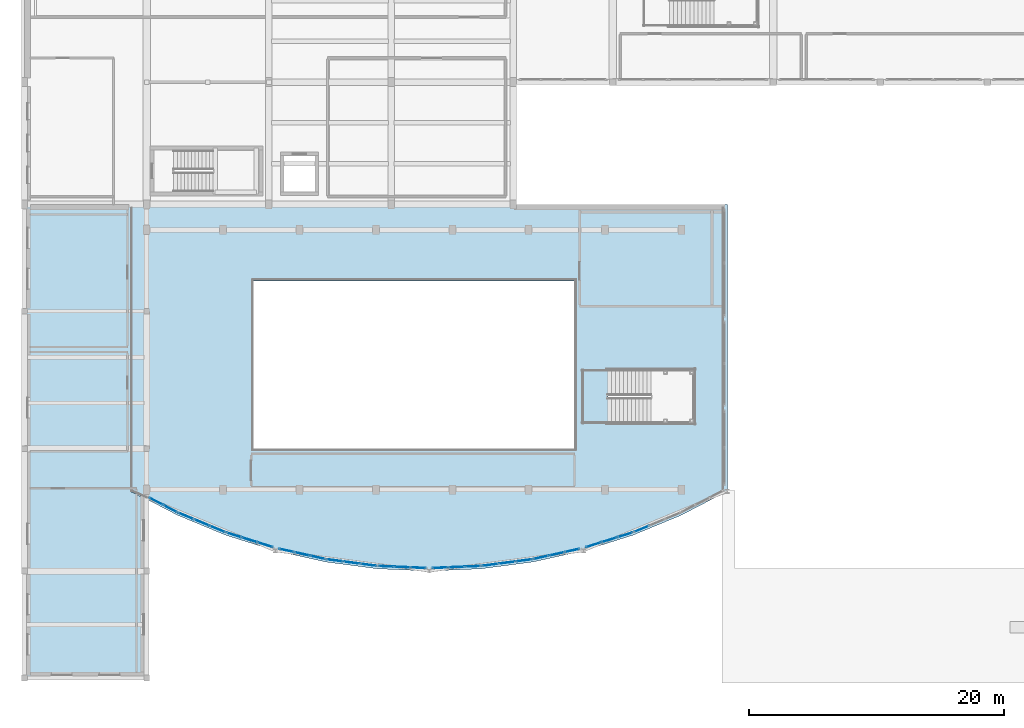
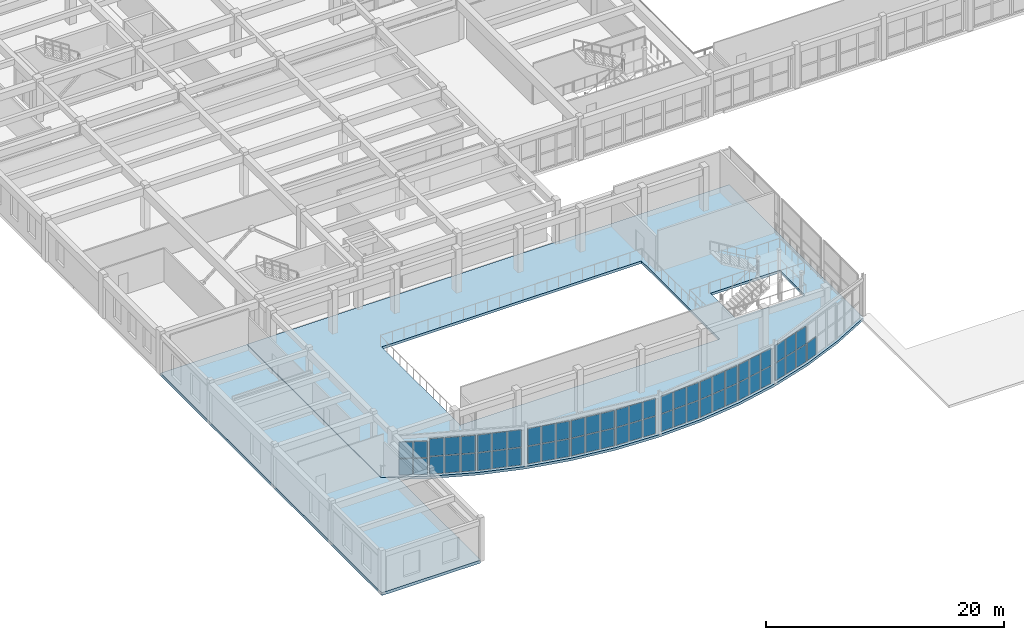
# One storey, part 53 of 92: 59 plates, 2 slabs, 11 elements without a shape of their own.
"""IFC4 building model written with IfcOpenShell, lengths in metres."""

from ifc_helpers import new_model, si_unit, direction, frame, origin, origin_2d, place, context, subcontext, project, spatial, polyline, rectangle, outline, extrude, material, layer, layer_set, type_object, element, aggregate, save


model = new_model("IFC4")

# Units and contexts
model_context = context("Model", 3, precision=1e-05, world=origin(), true_north=direction((0.0, 1.0)))
body_context = subcontext(model_context, "Body", "Model", "MODEL_VIEW")
ifc_project = project(units=[si_unit("LENGTHUNIT", "METRE"), si_unit("AREAUNIT", "SQUARE_METRE"), si_unit("VOLUMEUNIT", "CUBIC_METRE"), si_unit("PLANEANGLEUNIT", "RADIAN"), si_unit("MASSUNIT", "GRAM", prefix="KILO")], contexts=[model_context])

# Site, building, storey
site_placement = place(None, origin())
site = spatial("IfcSite", under=ifc_project, at=site_placement, CompositionType="ELEMENT")
building_placement = place(site_placement, origin())
building = spatial("IfcBuilding", under=site, at=building_placement, Name="Tarnavel Promenade Courthouse", CompositionType="ELEMENT")
storey_placement = place(building_placement, frame((0.0, 0.0, 5.39990234375)))
storey = spatial("IfcBuildingStorey", under=building, at=storey_placement, Name="L02", CompositionType="ELEMENT", Elevation=5.39990234375)

# Slabs
ifc_material_1 = material(Name="Concrete C40/50", Category="concrete")
ifc_layer_1 = layer(ifc_material_1, 0.260009765625)
ifc_layer_set_1 = layer_set([ifc_layer_1], Name="Concrete C40/50")
slab_type_1 = type_object("IfcSlabType", Name="Concrete C40/50 SLB-PT-260 (260 mm)", PredefinedType="FLOOR", material=ifc_layer_set_1)
slab_1_placement = place(storey_placement, frame((0.0, 0.0, -0.260009765625)))
element("IfcSlab", 1, at=slab_1_placement, inside=storey, type_object=slab_type_1, Name="L02 Curved Public Hall Drum Slab", PredefinedType="FLOOR", context=body_context, shape_type="SweptSolid", body=[
    extrude(outline(polyline([(8.39990234375, 14.669921875), (12.021484375, 12.784912109375), (15.79345703125, 11.222412109375), (19.687255859375, 9.99462890625), (23.67333984375, 9.111083984375), (27.72119140625, 8.578125), (31.800048828125, 8.39990234375), (35.87890625, 8.578125), (39.9267578125, 9.111083984375), (43.912841796875, 9.99462890625), (47.806640625, 11.222412109375), (51.57861328125, 12.784912109375), (55.199951171875, 14.669921875), (55.199951171875, 37.199951171875), (8.39990234375, 37.199951171875), (8.39990234375, 14.669921875)]), holes=[polyline([(45.844970703125, 20.0), (52.60009765625, 20.0), (52.60009765625, 24.199951171875), (45.844970703125, 24.199951171875), (45.844970703125, 20.0)]), polyline([(18.0, 18.0), (43.199951171875, 18.0), (43.199951171875, 31.199951171875), (18.0, 31.199951171875), (18.0, 18.0)])]), origin(), (0.0, 0.0, 1.0), 0.260009765625),
])
ifc_layer_2 = layer(ifc_material_1, 0.300048828125)
ifc_layer_set_2 = layer_set([ifc_layer_2], Name="Concrete C40/50")
slab_type_2 = type_object("IfcSlabType", Name="Concrete C40/50 SLB-STK-300 (300 mm)", PredefinedType="FLOOR", material=ifc_layer_set_2)
slab_2_placement = place(storey_placement, frame((0.0, 0.0, -0.2998046875)))
element("IfcSlab", 2, at=slab_2_placement, inside=storey, type_object=slab_type_2, Name="L02 Portal Pavilion Floor Slab", PredefinedType="FLOOR", context=body_context, shape_type="SweptSolid", body=[
    extrude(outline(polyline([(9.60009765625, 0.0), (0.0, 0.0), (0.0, 37.179931640625), (8.360107421875, 37.179931640625), (8.360107421875, 14.6201171875), (8.43115234375, 14.6201171875), (9.60009765625, 14.011474609375), (9.60009765625, 0.0)])), origin(), (0.0, 0.0, 1.0), 0.2998046875),
])

# Curtain wall, plates
ifc_material_2 = material(Name="Thermally Broken Anodised Aluminium Curtain Wall System", Category="aluminium")
ifc_layer_3 = layer(ifc_material_2, 0.219970703125)
ifc_layer_set_3 = layer_set([ifc_layer_3], Name="Thermally Broken Anodised Aluminium Curtain Wall System")
curtain_wall_type = type_object("IfcCurtainWallType", Name="Thermally Broken Aluminium Triple-Glazed Curtain Wall CW-DRUM", PredefinedType="NOTDEFINED", material=ifc_layer_set_3)
curtain_wall_1_placement = place(storey_placement, origin())
curtain_wall_1 = element("IfcCurtainWall", 3, at=curtain_wall_1_placement, inside=storey, type_object=curtain_wall_type, Name="L02 Public Hall Drum Curtain Wall 012", PredefinedType="NOTDEFINED")
ifc_material_3 = material(Name="Triple Low-E Argon Insulated Glazing", Category="glass")
ifc_layer_4 = layer(ifc_material_3, 0.048095703125)
ifc_layer_set_4 = layer_set([ifc_layer_4], Name="Triple Low-E Argon Insulated Glazing")
plate_type = type_object("IfcPlateType", Name="Triple Low-E Argon Insulated Glazing Unit CWP-48 (48 mm)", PredefinedType="CURTAIN_PANEL", material=ifc_layer_set_4)
plate_1_placement = place(storey_placement, frame((10.34375, 13.878173828125, 0.080078125), z_axis=(0.0, 0.0, 1.0), x_axis=(0.887010496423, -0.461749260135, 0.0)))
plate_1 = element("IfcPlate", 4, at=plate_1_placement, type_object=plate_type, Name="CW-01 panel 1.1", PredefinedType="CURTAIN_PANEL", context=body_context, shape_type="SweptSolid", body=[
    extrude(rectangle(XDim=1.140869140625, YDim=0.048095703125, at=origin_2d()), origin(), (0.0, 0.0, 1.0), 1.64501953125),
])
plate_2_placement = place(storey_placement, frame((10.34375, 13.878173828125, 1.80517578125), z_axis=(0.0, 0.0, 1.0), x_axis=(0.887010496423, -0.461749260135, 0.0)))
plate_2 = element("IfcPlate", 5, at=plate_2_placement, type_object=plate_type, Name="CW-01 panel 1.2", PredefinedType="CURTAIN_PANEL", context=body_context, shape_type="SweptSolid", body=[
    extrude(rectangle(XDim=1.140869140625, YDim=0.048095703125, at=origin_2d()), origin(), (0.0, 0.0, 1.0), 1.64501953125),
])
plate_3_placement = place(storey_placement, frame((11.435546875, 13.309814453125, 0.080078125), z_axis=(0.0, 0.0, 1.0), x_axis=(0.887010496423, -0.461749260135, 0.0)))
plate_3 = element("IfcPlate", 6, at=plate_3_placement, type_object=plate_type, Name="CW-01 panel 2.1", PredefinedType="CURTAIN_PANEL", context=body_context, shape_type="SweptSolid", body=[
    extrude(rectangle(XDim=1.140869140625, YDim=0.048095703125, at=origin_2d()), origin(), (0.0, 0.0, 1.0), 1.64501953125),
])
plate_4_placement = place(storey_placement, frame((11.435546875, 13.309814453125, 1.80517578125), z_axis=(0.0, 0.0, 1.0), x_axis=(0.887010496423, -0.461749260135, 0.0)))
plate_4 = element("IfcPlate", 7, at=plate_4_placement, type_object=plate_type, Name="CW-01 panel 2.2", PredefinedType="CURTAIN_PANEL", context=body_context, shape_type="SweptSolid", body=[
    extrude(rectangle(XDim=1.140869140625, YDim=0.048095703125, at=origin_2d()), origin(), (0.0, 0.0, 1.0), 1.64501953125),
])
aggregate(curtain_wall_1, [plate_1, plate_2, plate_3, plate_4])

curtain_wall_2_placement = place(storey_placement, origin())
curtain_wall_2 = element("IfcCurtainWall", 8, at=curtain_wall_2_placement, inside=storey, type_object=curtain_wall_type, Name="L02 Public Hall Drum Curtain Wall 013", PredefinedType="NOTDEFINED")
plate_5_placement = place(storey_placement, frame((12.6708984375, 12.73583984375, 0.080078125), z_axis=(0.0, 0.0, 1.0), x_axis=(0.923878974593, -0.382684779296, 0.0)))
plate_5 = element("IfcPlate", 9, at=plate_5_placement, type_object=plate_type, Name="CW-01 panel 1.1", PredefinedType="CURTAIN_PANEL", context=body_context, shape_type="SweptSolid", body=[
    extrude(rectangle(XDim=1.225830078125, YDim=0.048095703125, at=origin_2d()), origin(), (0.0, 0.0, 1.0), 1.77001953125),
])
plate_6_placement = place(storey_placement, frame((12.6708984375, 12.73583984375, 1.93017578125), z_axis=(0.0, 0.0, 1.0), x_axis=(0.923878974593, -0.382684779296, 0.0)))
plate_6 = element("IfcPlate", 10, at=plate_6_placement, type_object=plate_type, Name="CW-01 panel 1.2", PredefinedType="CURTAIN_PANEL", context=body_context, shape_type="SweptSolid", body=[
    extrude(rectangle(XDim=1.225830078125, YDim=0.048095703125, at=origin_2d()), origin(), (0.0, 0.0, 1.0), 1.77001953125),
])
plate_7_placement = place(storey_placement, frame((13.907470703125, 12.2236328125, 0.080078125), z_axis=(0.0, 0.0, 1.0), x_axis=(0.923878974593, -0.382684779296, 0.0)))
plate_7 = element("IfcPlate", 11, at=plate_7_placement, type_object=plate_type, Name="CW-01 panel 2.1", PredefinedType="CURTAIN_PANEL", context=body_context, shape_type="SweptSolid", body=[
    extrude(rectangle(XDim=1.27099609375, YDim=0.048095703125, at=origin_2d()), origin(), (0.0, 0.0, 1.0), 1.77001953125),
])
plate_8_placement = place(storey_placement, frame((13.907470703125, 12.2236328125, 1.93017578125), z_axis=(0.0, 0.0, 1.0), x_axis=(0.923878974593, -0.382684779296, 0.0)))
plate_8 = element("IfcPlate", 12, at=plate_8_placement, type_object=plate_type, Name="CW-01 panel 2.2", PredefinedType="CURTAIN_PANEL", context=body_context, shape_type="SweptSolid", body=[
    extrude(rectangle(XDim=1.27099609375, YDim=0.048095703125, at=origin_2d()), origin(), (0.0, 0.0, 1.0), 1.77001953125),
])
plate_9_placement = place(storey_placement, frame((15.14404296875, 11.71142578125, 0.080078125), z_axis=(0.0, 0.0, 1.0), x_axis=(0.923878974593, -0.382684779296, 0.0)))
plate_9 = element("IfcPlate", 13, at=plate_9_placement, type_object=plate_type, Name="CW-01 panel 3.1", PredefinedType="CURTAIN_PANEL", context=body_context, shape_type="SweptSolid", body=[
    extrude(rectangle(XDim=1.225830078125, YDim=0.048095703125, at=origin_2d()), origin(), (0.0, 0.0, 1.0), 1.77001953125),
])
plate_10_placement = place(storey_placement, frame((15.14404296875, 11.71142578125, 1.93017578125), z_axis=(0.0, 0.0, 1.0), x_axis=(0.923878974593, -0.382684779296, 0.0)))
plate_10 = element("IfcPlate", 14, at=plate_10_placement, type_object=plate_type, Name="CW-01 panel 3.2", PredefinedType="CURTAIN_PANEL", context=body_context, shape_type="SweptSolid", body=[
    extrude(rectangle(XDim=1.225830078125, YDim=0.048095703125, at=origin_2d()), origin(), (0.0, 0.0, 1.0), 1.77001953125),
])
aggregate(curtain_wall_2, [plate_5, plate_6, plate_7, plate_8, plate_9, plate_10])

curtain_wall_3_placement = place(storey_placement, origin())
curtain_wall_3 = element("IfcCurtainWall", 15, at=curtain_wall_3_placement, inside=storey, type_object=curtain_wall_type, Name="L02 Public Hall Drum Curtain Wall 014", PredefinedType="NOTDEFINED")
plate_11_placement = place(storey_placement, frame((16.442626953125, 11.23779296875, 0.080078125), z_axis=(0.0, 0.0, 1.0), x_axis=(0.953717095465, -0.300705340521, 0.0)))
plate_11 = element("IfcPlate", 16, at=plate_11_placement, type_object=plate_type, Name="CW-01 panel 1.1", PredefinedType="CURTAIN_PANEL", context=body_context, shape_type="SweptSolid", body=[
    extrude(rectangle(XDim=1.181396484375, YDim=0.048095703125, at=origin_2d()), origin(), (0.0, 0.0, 1.0), 1.77001953125),
])
plate_12_placement = place(storey_placement, frame((16.442626953125, 11.23779296875, 1.93017578125), z_axis=(0.0, 0.0, 1.0), x_axis=(0.953717095465, -0.300705340521, 0.0)))
plate_12 = element("IfcPlate", 17, at=plate_12_placement, type_object=plate_type, Name="CW-01 panel 1.2", PredefinedType="CURTAIN_PANEL", context=body_context, shape_type="SweptSolid", body=[
    extrude(rectangle(XDim=1.181396484375, YDim=0.048095703125, at=origin_2d()), origin(), (0.0, 0.0, 1.0), 1.77001953125),
])
plate_13_placement = place(storey_placement, frame((17.676513671875, 10.8486328125, 0.080078125), z_axis=(0.0, 0.0, 1.0), x_axis=(0.953717095465, -0.300705340521, 0.0)))
plate_13 = element("IfcPlate", 18, at=plate_13_placement, type_object=plate_type, Name="CW-01 panel 2.1", PredefinedType="CURTAIN_PANEL", context=body_context, shape_type="SweptSolid", body=[
    extrude(rectangle(XDim=1.226318359375, YDim=0.048095703125, at=origin_2d()), origin(), (0.0, 0.0, 1.0), 1.77001953125),
])
plate_14_placement = place(storey_placement, frame((17.676513671875, 10.8486328125, 1.93017578125), z_axis=(0.0, 0.0, 1.0), x_axis=(0.953717095465, -0.300705340521, 0.0)))
plate_14 = element("IfcPlate", 19, at=plate_14_placement, type_object=plate_type, Name="CW-01 panel 2.2", PredefinedType="CURTAIN_PANEL", context=body_context, shape_type="SweptSolid", body=[
    extrude(rectangle(XDim=1.226318359375, YDim=0.048095703125, at=origin_2d()), origin(), (0.0, 0.0, 1.0), 1.77001953125),
])
plate_15_placement = place(storey_placement, frame((18.910400390625, 10.45947265625, 0.080078125), z_axis=(0.0, 0.0, 1.0), x_axis=(0.953717095465, -0.300705340521, 0.0)))
plate_15 = element("IfcPlate", 20, at=plate_15_placement, type_object=plate_type, Name="CW-01 panel 3.1", PredefinedType="CURTAIN_PANEL", context=body_context, shape_type="SweptSolid", body=[
    extrude(rectangle(XDim=1.181396484375, YDim=0.048095703125, at=origin_2d()), origin(), (0.0, 0.0, 1.0), 1.77001953125),
])
plate_16_placement = place(storey_placement, frame((18.910400390625, 10.45947265625, 1.93017578125), z_axis=(0.0, 0.0, 1.0), x_axis=(0.953717095465, -0.300705340521, 0.0)))
plate_16 = element("IfcPlate", 21, at=plate_16_placement, type_object=plate_type, Name="CW-01 panel 3.2", PredefinedType="CURTAIN_PANEL", context=body_context, shape_type="SweptSolid", body=[
    extrude(rectangle(XDim=1.181396484375, YDim=0.048095703125, at=origin_2d()), origin(), (0.0, 0.0, 1.0), 1.77001953125),
])
aggregate(curtain_wall_3, [plate_11, plate_12, plate_13, plate_14, plate_15, plate_16])

curtain_wall_4_placement = place(storey_placement, origin())
curtain_wall_4 = element("IfcCurtainWall", 22, at=curtain_wall_4_placement, inside=storey, type_object=curtain_wall_type, Name="L02 Public Hall Drum Curtain Wall 015", PredefinedType="NOTDEFINED")
plate_17_placement = place(storey_placement, frame((20.574951171875, 10.017822265625, 0.080078125), z_axis=(0.0, 0.0, 1.0), x_axis=(0.976296327058, -0.216438170788, 0.0)))
plate_17 = element("IfcPlate", 23, at=plate_17_placement, type_object=plate_type, Name="CW-01 panel 1.1", PredefinedType="CURTAIN_PANEL", context=body_context, shape_type="SweptSolid", body=[
    extrude(rectangle(XDim=1.143310546875, YDim=0.048095703125, at=origin_2d()), origin(), (0.0, 0.0, 1.0), 1.77001953125),
])
plate_18_placement = place(storey_placement, frame((20.574951171875, 10.017822265625, 1.93017578125), z_axis=(0.0, 0.0, 1.0), x_axis=(0.976296327058, -0.216438170788, 0.0)))
plate_18 = element("IfcPlate", 24, at=plate_18_placement, type_object=plate_type, Name="CW-01 panel 1.2", PredefinedType="CURTAIN_PANEL", context=body_context, shape_type="SweptSolid", body=[
    extrude(rectangle(XDim=1.143310546875, YDim=0.048095703125, at=origin_2d()), origin(), (0.0, 0.0, 1.0), 1.77001953125),
])
plate_19_placement = place(storey_placement, frame((21.80126953125, 9.74609375, 0.080078125), z_axis=(0.0, 0.0, 1.0), x_axis=(0.976296327058, -0.216438170788, 0.0)))
plate_19 = element("IfcPlate", 25, at=plate_19_placement, type_object=plate_type, Name="CW-01 panel 2.1", PredefinedType="CURTAIN_PANEL", context=body_context, shape_type="SweptSolid", body=[
    extrude(rectangle(XDim=1.1884765625, YDim=0.048095703125, at=origin_2d()), origin(), (0.0, 0.0, 1.0), 1.77001953125),
])
plate_20_placement = place(storey_placement, frame((21.80126953125, 9.74609375, 1.93017578125), z_axis=(0.0, 0.0, 1.0), x_axis=(0.976296327058, -0.216438170788, 0.0)))
plate_20 = element("IfcPlate", 26, at=plate_20_placement, type_object=plate_type, Name="CW-01 panel 2.2", PredefinedType="CURTAIN_PANEL", context=body_context, shape_type="SweptSolid", body=[
    extrude(rectangle(XDim=1.1884765625, YDim=0.048095703125, at=origin_2d()), origin(), (0.0, 0.0, 1.0), 1.77001953125),
])
plate_21_placement = place(storey_placement, frame((23.02734375, 9.47412109375, 0.080078125), z_axis=(0.0, 0.0, 1.0), x_axis=(0.976296327058, -0.216438170788, 0.0)))
plate_21 = element("IfcPlate", 27, at=plate_21_placement, type_object=plate_type, Name="CW-01 panel 3.1", PredefinedType="CURTAIN_PANEL", context=body_context, shape_type="SweptSolid", body=[
    extrude(rectangle(XDim=1.143310546875, YDim=0.048095703125, at=origin_2d()), origin(), (0.0, 0.0, 1.0), 1.77001953125),
])
plate_22_placement = place(storey_placement, frame((23.02734375, 9.47412109375, 1.93017578125), z_axis=(0.0, 0.0, 1.0), x_axis=(0.976296327058, -0.216438170788, 0.0)))
plate_22 = element("IfcPlate", 28, at=plate_22_placement, type_object=plate_type, Name="CW-01 panel 3.2", PredefinedType="CURTAIN_PANEL", context=body_context, shape_type="SweptSolid", body=[
    extrude(rectangle(XDim=1.143310546875, YDim=0.048095703125, at=origin_2d()), origin(), (0.0, 0.0, 1.0), 1.77001953125),
])
aggregate(curtain_wall_4, [plate_17, plate_18, plate_19, plate_20, plate_21, plate_22])

curtain_wall_5_placement = place(storey_placement, origin())
curtain_wall_5 = element("IfcCurtainWall", 29, at=curtain_wall_5_placement, inside=storey, type_object=curtain_wall_type, Name="L02 Public Hall Drum Curtain Wall 016", PredefinedType="NOTDEFINED")
plate_23_placement = place(storey_placement, frame((24.3701171875, 9.2392578125, 0.080078125), z_axis=(0.0, 0.0, 1.0), x_axis=(0.991444805772, -0.130526614558, 0.0)))
plate_23 = element("IfcPlate", 30, at=plate_23_placement, type_object=plate_type, Name="CW-01 panel 1.1", PredefinedType="CURTAIN_PANEL", context=body_context, shape_type="SweptSolid", body=[
    extrude(rectangle(XDim=1.225830078125, YDim=0.048095703125, at=origin_2d()), origin(), (0.0, 0.0, 1.0), 1.77001953125),
])
plate_24_placement = place(storey_placement, frame((24.3701171875, 9.2392578125, 1.93017578125), z_axis=(0.0, 0.0, 1.0), x_axis=(0.991444805772, -0.130526614558, 0.0)))
plate_24 = element("IfcPlate", 31, at=plate_24_placement, type_object=plate_type, Name="CW-01 panel 1.2", PredefinedType="CURTAIN_PANEL", context=body_context, shape_type="SweptSolid", body=[
    extrude(rectangle(XDim=1.225830078125, YDim=0.048095703125, at=origin_2d()), origin(), (0.0, 0.0, 1.0), 1.77001953125),
])
plate_25_placement = place(storey_placement, frame((25.697265625, 9.064453125, 0.080078125), z_axis=(0.0, 0.0, 1.0), x_axis=(0.991444805772, -0.130526614558, 0.0)))
plate_25 = element("IfcPlate", 32, at=plate_25_placement, type_object=plate_type, Name="CW-01 panel 2.1", PredefinedType="CURTAIN_PANEL", context=body_context, shape_type="SweptSolid", body=[
    extrude(rectangle(XDim=1.27099609375, YDim=0.048095703125, at=origin_2d()), origin(), (0.0, 0.0, 1.0), 1.77001953125),
])
plate_26_placement = place(storey_placement, frame((25.697265625, 9.064453125, 1.93017578125), z_axis=(0.0, 0.0, 1.0), x_axis=(0.991444805772, -0.130526614558, 0.0)))
plate_26 = element("IfcPlate", 33, at=plate_26_placement, type_object=plate_type, Name="CW-01 panel 2.2", PredefinedType="CURTAIN_PANEL", context=body_context, shape_type="SweptSolid", body=[
    extrude(rectangle(XDim=1.27099609375, YDim=0.048095703125, at=origin_2d()), origin(), (0.0, 0.0, 1.0), 1.77001953125),
])
plate_27_placement = place(storey_placement, frame((27.024169921875, 8.889892578125, 0.080078125), z_axis=(0.0, 0.0, 1.0), x_axis=(0.991444805772, -0.130526614558, 0.0)))
plate_27 = element("IfcPlate", 34, at=plate_27_placement, type_object=plate_type, Name="CW-01 panel 3.1", PredefinedType="CURTAIN_PANEL", context=body_context, shape_type="SweptSolid", body=[
    extrude(rectangle(XDim=1.225830078125, YDim=0.048095703125, at=origin_2d()), origin(), (0.0, 0.0, 1.0), 1.77001953125),
])
plate_28_placement = place(storey_placement, frame((27.024169921875, 8.889892578125, 1.93017578125), z_axis=(0.0, 0.0, 1.0), x_axis=(0.991444805772, -0.130526614558, 0.0)))
plate_28 = element("IfcPlate", 35, at=plate_28_placement, type_object=plate_type, Name="CW-01 panel 3.2", PredefinedType="CURTAIN_PANEL", context=body_context, shape_type="SweptSolid", body=[
    extrude(rectangle(XDim=1.225830078125, YDim=0.048095703125, at=origin_2d()), origin(), (0.0, 0.0, 1.0), 1.77001953125),
])
aggregate(curtain_wall_5, [plate_23, plate_24, plate_25, plate_26, plate_27, plate_28])

curtain_wall_6_placement = place(storey_placement, origin())
curtain_wall_6 = element("IfcCurtainWall", 36, at=curtain_wall_6_placement, inside=storey, type_object=curtain_wall_type, Name="L02 Public Hall Drum Curtain Wall 017", PredefinedType="NOTDEFINED")
plate_29_placement = place(storey_placement, frame((28.3916015625, 8.768798828125, 0.080078125), z_axis=(0.0, 0.0, 1.0), x_axis=(0.999048255156, -0.04361861839, 0.0)))
plate_29 = element("IfcPlate", 37, at=plate_29_placement, type_object=plate_type, Name="CW-01 panel 1.1", PredefinedType="CURTAIN_PANEL", context=body_context, shape_type="SweptSolid", body=[
    extrude(rectangle(XDim=1.162353515625, YDim=0.048095703125, at=origin_2d()), origin(), (0.0, 0.0, 1.0), 1.77001953125),
])
plate_30_placement = place(storey_placement, frame((28.3916015625, 8.768798828125, 1.93017578125), z_axis=(0.0, 0.0, 1.0), x_axis=(0.999048255156, -0.04361861839, 0.0)))
plate_30 = element("IfcPlate", 38, at=plate_30_placement, type_object=plate_type, Name="CW-01 panel 1.2", PredefinedType="CURTAIN_PANEL", context=body_context, shape_type="SweptSolid", body=[
    extrude(rectangle(XDim=1.162353515625, YDim=0.048095703125, at=origin_2d()), origin(), (0.0, 0.0, 1.0), 1.77001953125),
])
plate_31_placement = place(storey_placement, frame((29.66552734375, 8.713134765625, 0.080078125), z_axis=(0.0, 0.0, 1.0), x_axis=(0.999048255156, -0.04361861839, 0.0)))
plate_31 = element("IfcPlate", 39, at=plate_31_placement, type_object=plate_type, Name="CW-01 panel 2.1", PredefinedType="CURTAIN_PANEL", context=body_context, shape_type="SweptSolid", body=[
    extrude(rectangle(XDim=1.20751953125, YDim=0.048095703125, at=origin_2d()), origin(), (0.0, 0.0, 1.0), 1.77001953125),
])
plate_32_placement = place(storey_placement, frame((29.66552734375, 8.713134765625, 1.93017578125), z_axis=(0.0, 0.0, 1.0), x_axis=(0.999048255156, -0.04361861839, 0.0)))
plate_32 = element("IfcPlate", 40, at=plate_32_placement, type_object=plate_type, Name="CW-01 panel 2.2", PredefinedType="CURTAIN_PANEL", context=body_context, shape_type="SweptSolid", body=[
    extrude(rectangle(XDim=1.20751953125, YDim=0.048095703125, at=origin_2d()), origin(), (0.0, 0.0, 1.0), 1.77001953125),
])
plate_33_placement = place(storey_placement, frame((30.939208984375, 8.657470703125, 0.080078125), z_axis=(0.0, 0.0, 1.0), x_axis=(0.999048255156, -0.04361861839, 0.0)))
plate_33 = element("IfcPlate", 41, at=plate_33_placement, type_object=plate_type, Name="CW-01 panel 3.1", PredefinedType="CURTAIN_PANEL", context=body_context, shape_type="SweptSolid", body=[
    extrude(rectangle(XDim=1.162353515625, YDim=0.048095703125, at=origin_2d()), origin(), (0.0, 0.0, 1.0), 1.77001953125),
])
plate_34_placement = place(storey_placement, frame((30.939208984375, 8.657470703125, 1.93017578125), z_axis=(0.0, 0.0, 1.0), x_axis=(0.999048255156, -0.04361861839, 0.0)))
plate_34 = element("IfcPlate", 42, at=plate_34_placement, type_object=plate_type, Name="CW-01 panel 3.2", PredefinedType="CURTAIN_PANEL", context=body_context, shape_type="SweptSolid", body=[
    extrude(rectangle(XDim=1.162353515625, YDim=0.048095703125, at=origin_2d()), origin(), (0.0, 0.0, 1.0), 1.77001953125),
])
aggregate(curtain_wall_6, [plate_29, plate_30, plate_31, plate_32, plate_33, plate_34])

curtain_wall_7_placement = place(storey_placement, origin())
curtain_wall_7 = element("IfcCurtainWall", 43, at=curtain_wall_7_placement, inside=storey, type_object=curtain_wall_type, Name="L02 Public Hall Drum Curtain Wall 018", PredefinedType="NOTDEFINED")
plate_35_placement = place(storey_placement, frame((32.660888671875, 8.657470703125, 0.080078125), z_axis=(0.0, 0.0, 1.0), x_axis=(0.999048255156, 0.04361861839, 0.0)))
plate_35 = element("IfcPlate", 44, at=plate_35_placement, type_object=plate_type, Name="CW-01 panel 1.1", PredefinedType="CURTAIN_PANEL", context=body_context, shape_type="SweptSolid", body=[
    extrude(rectangle(XDim=1.162353515625, YDim=0.048095703125, at=origin_2d()), origin(), (0.0, 0.0, 1.0), 1.77001953125),
])
plate_36_placement = place(storey_placement, frame((32.660888671875, 8.657470703125, 1.93017578125), z_axis=(0.0, 0.0, 1.0), x_axis=(0.999048255156, 0.04361861839, 0.0)))
plate_36 = element("IfcPlate", 45, at=plate_36_placement, type_object=plate_type, Name="CW-01 panel 1.2", PredefinedType="CURTAIN_PANEL", context=body_context, shape_type="SweptSolid", body=[
    extrude(rectangle(XDim=1.162353515625, YDim=0.048095703125, at=origin_2d()), origin(), (0.0, 0.0, 1.0), 1.77001953125),
])
plate_37_placement = place(storey_placement, frame((33.9345703125, 8.713134765625, 0.080078125), z_axis=(0.0, 0.0, 1.0), x_axis=(0.999048255156, 0.04361861839, 0.0)))
plate_37 = element("IfcPlate", 46, at=plate_37_placement, type_object=plate_type, Name="CW-01 panel 2.1", PredefinedType="CURTAIN_PANEL", context=body_context, shape_type="SweptSolid", body=[
    extrude(rectangle(XDim=1.20751953125, YDim=0.048095703125, at=origin_2d()), origin(), (0.0, 0.0, 1.0), 1.77001953125),
])
plate_38_placement = place(storey_placement, frame((33.9345703125, 8.713134765625, 1.93017578125), z_axis=(0.0, 0.0, 1.0), x_axis=(0.999048255156, 0.04361861839, 0.0)))
plate_38 = element("IfcPlate", 47, at=plate_38_placement, type_object=plate_type, Name="CW-01 panel 2.2", PredefinedType="CURTAIN_PANEL", context=body_context, shape_type="SweptSolid", body=[
    extrude(rectangle(XDim=1.20751953125, YDim=0.048095703125, at=origin_2d()), origin(), (0.0, 0.0, 1.0), 1.77001953125),
])
plate_39_placement = place(storey_placement, frame((35.208251953125, 8.768798828125, 0.080078125), z_axis=(0.0, 0.0, 1.0), x_axis=(0.999048255156, 0.04361861839, 0.0)))
plate_39 = element("IfcPlate", 48, at=plate_39_placement, type_object=plate_type, Name="CW-01 panel 3.1", PredefinedType="CURTAIN_PANEL", context=body_context, shape_type="SweptSolid", body=[
    extrude(rectangle(XDim=1.162353515625, YDim=0.048095703125, at=origin_2d()), origin(), (0.0, 0.0, 1.0), 1.77001953125),
])
plate_40_placement = place(storey_placement, frame((35.208251953125, 8.768798828125, 1.93017578125), z_axis=(0.0, 0.0, 1.0), x_axis=(0.999048255156, 0.04361861839, 0.0)))
plate_40 = element("IfcPlate", 49, at=plate_40_placement, type_object=plate_type, Name="CW-01 panel 3.2", PredefinedType="CURTAIN_PANEL", context=body_context, shape_type="SweptSolid", body=[
    extrude(rectangle(XDim=1.162353515625, YDim=0.048095703125, at=origin_2d()), origin(), (0.0, 0.0, 1.0), 1.77001953125),
])
aggregate(curtain_wall_7, [plate_35, plate_36, plate_37, plate_38, plate_39, plate_40])

curtain_wall_8_placement = place(storey_placement, origin())
curtain_wall_8 = element("IfcCurtainWall", 50, at=curtain_wall_8_placement, inside=storey, type_object=curtain_wall_type, Name="L02 Public Hall Drum Curtain Wall 019", PredefinedType="NOTDEFINED")
plate_41_placement = place(storey_placement, frame((36.575927734375, 8.889892578125, 0.080078125), z_axis=(0.0, 0.0, 1.0), x_axis=(0.991444847502, 0.130526297584, 0.0)))
plate_41 = element("IfcPlate", 51, at=plate_41_placement, type_object=plate_type, Name="CW-01 panel 1.1", PredefinedType="CURTAIN_PANEL", context=body_context, shape_type="SweptSolid", body=[
    extrude(rectangle(XDim=1.225830078125, YDim=0.048095703125, at=origin_2d()), origin(), (0.0, 0.0, 1.0), 1.77001953125),
])
plate_42_placement = place(storey_placement, frame((36.575927734375, 8.889892578125, 1.93017578125), z_axis=(0.0, 0.0, 1.0), x_axis=(0.991444847502, 0.130526297584, 0.0)))
plate_42 = element("IfcPlate", 52, at=plate_42_placement, type_object=plate_type, Name="CW-01 panel 1.2", PredefinedType="CURTAIN_PANEL", context=body_context, shape_type="SweptSolid", body=[
    extrude(rectangle(XDim=1.225830078125, YDim=0.048095703125, at=origin_2d()), origin(), (0.0, 0.0, 1.0), 1.77001953125),
])
plate_43_placement = place(storey_placement, frame((37.90283203125, 9.064453125, 0.080078125), z_axis=(0.0, 0.0, 1.0), x_axis=(0.991444847502, 0.130526297584, 0.0)))
plate_43 = element("IfcPlate", 53, at=plate_43_placement, type_object=plate_type, Name="CW-01 panel 2.1", PredefinedType="CURTAIN_PANEL", context=body_context, shape_type="SweptSolid", body=[
    extrude(rectangle(XDim=1.27099609375, YDim=0.048095703125, at=origin_2d()), origin(), (0.0, 0.0, 1.0), 1.77001953125),
])
plate_44_placement = place(storey_placement, frame((37.90283203125, 9.064453125, 1.93017578125), z_axis=(0.0, 0.0, 1.0), x_axis=(0.991444847502, 0.130526297584, 0.0)))
plate_44 = element("IfcPlate", 54, at=plate_44_placement, type_object=plate_type, Name="CW-01 panel 2.2", PredefinedType="CURTAIN_PANEL", context=body_context, shape_type="SweptSolid", body=[
    extrude(rectangle(XDim=1.27099609375, YDim=0.048095703125, at=origin_2d()), origin(), (0.0, 0.0, 1.0), 1.77001953125),
])
plate_45_placement = place(storey_placement, frame((39.229736328125, 9.2392578125, 0.080078125), z_axis=(0.0, 0.0, 1.0), x_axis=(0.991444847502, 0.130526297584, 0.0)))
plate_45 = element("IfcPlate", 55, at=plate_45_placement, type_object=plate_type, Name="CW-01 panel 3.1", PredefinedType="CURTAIN_PANEL", context=body_context, shape_type="SweptSolid", body=[
    extrude(rectangle(XDim=1.225830078125, YDim=0.048095703125, at=origin_2d()), origin(), (0.0, 0.0, 1.0), 1.77001953125),
])
plate_46_placement = place(storey_placement, frame((39.229736328125, 9.2392578125, 1.93017578125), z_axis=(0.0, 0.0, 1.0), x_axis=(0.991444847502, 0.130526297584, 0.0)))
plate_46 = element("IfcPlate", 56, at=plate_46_placement, type_object=plate_type, Name="CW-01 panel 3.2", PredefinedType="CURTAIN_PANEL", context=body_context, shape_type="SweptSolid", body=[
    extrude(rectangle(XDim=1.225830078125, YDim=0.048095703125, at=origin_2d()), origin(), (0.0, 0.0, 1.0), 1.77001953125),
])
aggregate(curtain_wall_8, [plate_41, plate_42, plate_43, plate_44, plate_45, plate_46])

curtain_wall_9_placement = place(storey_placement, origin())
curtain_wall_9 = element("IfcCurtainWall", 57, at=curtain_wall_9_placement, inside=storey, type_object=curtain_wall_type, Name="L02 Public Hall Drum Curtain Wall 020", PredefinedType="NOTDEFINED")
plate_47_placement = place(storey_placement, frame((40.57275390625, 9.47412109375, 0.080078125), z_axis=(0.0, 0.0, 1.0), x_axis=(0.97629620491, 0.216438721763, 0.0)))
plate_47 = element("IfcPlate", 58, at=plate_47_placement, type_object=plate_type, Name="CW-01 panel 1.1", PredefinedType="CURTAIN_PANEL", context=body_context, shape_type="SweptSolid", body=[
    extrude(rectangle(XDim=1.143310546875, YDim=0.048095703125, at=origin_2d()), origin(), (0.0, 0.0, 1.0), 1.77001953125),
])
plate_48_placement = place(storey_placement, frame((40.57275390625, 9.47412109375, 1.93017578125), z_axis=(0.0, 0.0, 1.0), x_axis=(0.97629620491, 0.216438721763, 0.0)))
plate_48 = element("IfcPlate", 59, at=plate_48_placement, type_object=plate_type, Name="CW-01 panel 1.2", PredefinedType="CURTAIN_PANEL", context=body_context, shape_type="SweptSolid", body=[
    extrude(rectangle(XDim=1.143310546875, YDim=0.048095703125, at=origin_2d()), origin(), (0.0, 0.0, 1.0), 1.77001953125),
])
plate_49_placement = place(storey_placement, frame((41.798828125, 9.74609375, 0.080078125), z_axis=(0.0, 0.0, 1.0), x_axis=(0.97629620491, 0.216438721763, 0.0)))
plate_49 = element("IfcPlate", 60, at=plate_49_placement, type_object=plate_type, Name="CW-01 panel 2.1", PredefinedType="CURTAIN_PANEL", context=body_context, shape_type="SweptSolid", body=[
    extrude(rectangle(XDim=1.1884765625, YDim=0.048095703125, at=origin_2d()), origin(), (0.0, 0.0, 1.0), 1.77001953125),
])
plate_50_placement = place(storey_placement, frame((41.798828125, 9.74609375, 1.93017578125), z_axis=(0.0, 0.0, 1.0), x_axis=(0.97629620491, 0.216438721763, 0.0)))
plate_50 = element("IfcPlate", 61, at=plate_50_placement, type_object=plate_type, Name="CW-01 panel 2.2", PredefinedType="CURTAIN_PANEL", context=body_context, shape_type="SweptSolid", body=[
    extrude(rectangle(XDim=1.1884765625, YDim=0.048095703125, at=origin_2d()), origin(), (0.0, 0.0, 1.0), 1.77001953125),
])
plate_51_placement = place(storey_placement, frame((43.02490234375, 10.017822265625, 0.080078125), z_axis=(0.0, 0.0, 1.0), x_axis=(0.97629620491, 0.216438721763, 0.0)))
plate_51 = element("IfcPlate", 62, at=plate_51_placement, type_object=plate_type, Name="CW-01 panel 3.1", PredefinedType="CURTAIN_PANEL", context=body_context, shape_type="SweptSolid", body=[
    extrude(rectangle(XDim=1.143310546875, YDim=0.048095703125, at=origin_2d()), origin(), (0.0, 0.0, 1.0), 1.77001953125),
])
plate_52_placement = place(storey_placement, frame((43.02490234375, 10.017822265625, 1.93017578125), z_axis=(0.0, 0.0, 1.0), x_axis=(0.97629620491, 0.216438721763, 0.0)))
plate_52 = element("IfcPlate", 63, at=plate_52_placement, type_object=plate_type, Name="CW-01 panel 3.2", PredefinedType="CURTAIN_PANEL", context=body_context, shape_type="SweptSolid", body=[
    extrude(rectangle(XDim=1.143310546875, YDim=0.048095703125, at=origin_2d()), origin(), (0.0, 0.0, 1.0), 1.77001953125),
])
aggregate(curtain_wall_9, [plate_47, plate_48, plate_49, plate_50, plate_51, plate_52])

curtain_wall_10_placement = place(storey_placement, origin())
curtain_wall_10 = element("IfcCurtainWall", 64, at=curtain_wall_10_placement, inside=storey, type_object=curtain_wall_type, Name="L02 Public Hall Drum Curtain Wall 021", PredefinedType="NOTDEFINED")
plate_53_placement = place(storey_placement, frame((44.689453125, 10.45947265625, 0.080078125), z_axis=(0.0, 0.0, 1.0), x_axis=(0.953717095465, 0.300705340521, 0.0)))
plate_53 = element("IfcPlate", 65, at=plate_53_placement, type_object=plate_type, Name="CW-01 panel 1.1", PredefinedType="CURTAIN_PANEL", context=body_context, shape_type="SweptSolid", body=[
    extrude(rectangle(XDim=1.181396484375, YDim=0.048095703125, at=origin_2d()), origin(), (0.0, 0.0, 1.0), 1.77001953125),
])
plate_54_placement = place(storey_placement, frame((44.689453125, 10.45947265625, 1.93017578125), z_axis=(0.0, 0.0, 1.0), x_axis=(0.953717095465, 0.300705340521, 0.0)))
plate_54 = element("IfcPlate", 66, at=plate_54_placement, type_object=plate_type, Name="CW-01 panel 1.2", PredefinedType="CURTAIN_PANEL", context=body_context, shape_type="SweptSolid", body=[
    extrude(rectangle(XDim=1.181396484375, YDim=0.048095703125, at=origin_2d()), origin(), (0.0, 0.0, 1.0), 1.77001953125),
])
plate_55_placement = place(storey_placement, frame((45.92333984375, 10.8486328125, 0.080078125), z_axis=(0.0, 0.0, 1.0), x_axis=(0.953717095465, 0.300705340521, 0.0)))
plate_55 = element("IfcPlate", 67, at=plate_55_placement, type_object=plate_type, Name="CW-01 panel 2.1", PredefinedType="CURTAIN_PANEL", context=body_context, shape_type="SweptSolid", body=[
    extrude(rectangle(XDim=1.226318359375, YDim=0.048095703125, at=origin_2d()), origin(), (0.0, 0.0, 1.0), 1.77001953125),
])
plate_56_placement = place(storey_placement, frame((45.92333984375, 10.8486328125, 1.93017578125), z_axis=(0.0, 0.0, 1.0), x_axis=(0.953717095465, 0.300705340521, 0.0)))
plate_56 = element("IfcPlate", 68, at=plate_56_placement, type_object=plate_type, Name="CW-01 panel 2.2", PredefinedType="CURTAIN_PANEL", context=body_context, shape_type="SweptSolid", body=[
    extrude(rectangle(XDim=1.226318359375, YDim=0.048095703125, at=origin_2d()), origin(), (0.0, 0.0, 1.0), 1.77001953125),
])
plate_57_placement = place(storey_placement, frame((47.157470703125, 11.23779296875, 0.080078125), z_axis=(0.0, 0.0, 1.0), x_axis=(0.953717095465, 0.300705340521, 0.0)))
plate_57 = element("IfcPlate", 69, at=plate_57_placement, type_object=plate_type, Name="CW-01 panel 3.1", PredefinedType="CURTAIN_PANEL", context=body_context, shape_type="SweptSolid", body=[
    extrude(rectangle(XDim=1.181396484375, YDim=0.048095703125, at=origin_2d()), origin(), (0.0, 0.0, 1.0), 1.77001953125),
])
plate_58_placement = place(storey_placement, frame((47.157470703125, 11.23779296875, 1.93017578125), z_axis=(0.0, 0.0, 1.0), x_axis=(0.953717095465, 0.300705340521, 0.0)))
plate_58 = element("IfcPlate", 70, at=plate_58_placement, type_object=plate_type, Name="CW-01 panel 3.2", PredefinedType="CURTAIN_PANEL", context=body_context, shape_type="SweptSolid", body=[
    extrude(rectangle(XDim=1.181396484375, YDim=0.048095703125, at=origin_2d()), origin(), (0.0, 0.0, 1.0), 1.77001953125),
])
aggregate(curtain_wall_10, [plate_53, plate_54, plate_55, plate_56, plate_57, plate_58])

# Curtain wall, plate
curtain_wall_11_placement = place(storey_placement, origin())
curtain_wall_11 = element("IfcCurtainWall", 71, at=curtain_wall_11_placement, inside=storey, type_object=curtain_wall_type, Name="L02 Public Hall Drum Curtain Wall 022", PredefinedType="NOTDEFINED")
plate_59_placement = place(storey_placement, frame((48.4560546875, 11.71142578125, 0.080078125), z_axis=(0.0, 0.0, 1.0), x_axis=(0.923878974593, 0.382684779296, 0.0)))
plate_59 = element("IfcPlate", 72, at=plate_59_placement, type_object=plate_type, Name="CW-01 panel 1.1", PredefinedType="CURTAIN_PANEL", context=body_context, shape_type="SweptSolid", body=[
    extrude(rectangle(XDim=1.225830078125, YDim=0.048095703125, at=origin_2d()), origin(), (0.0, 0.0, 1.0), 1.7900390625),
])
aggregate(curtain_wall_11, [plate_59])

save(model, "model.ifc")
